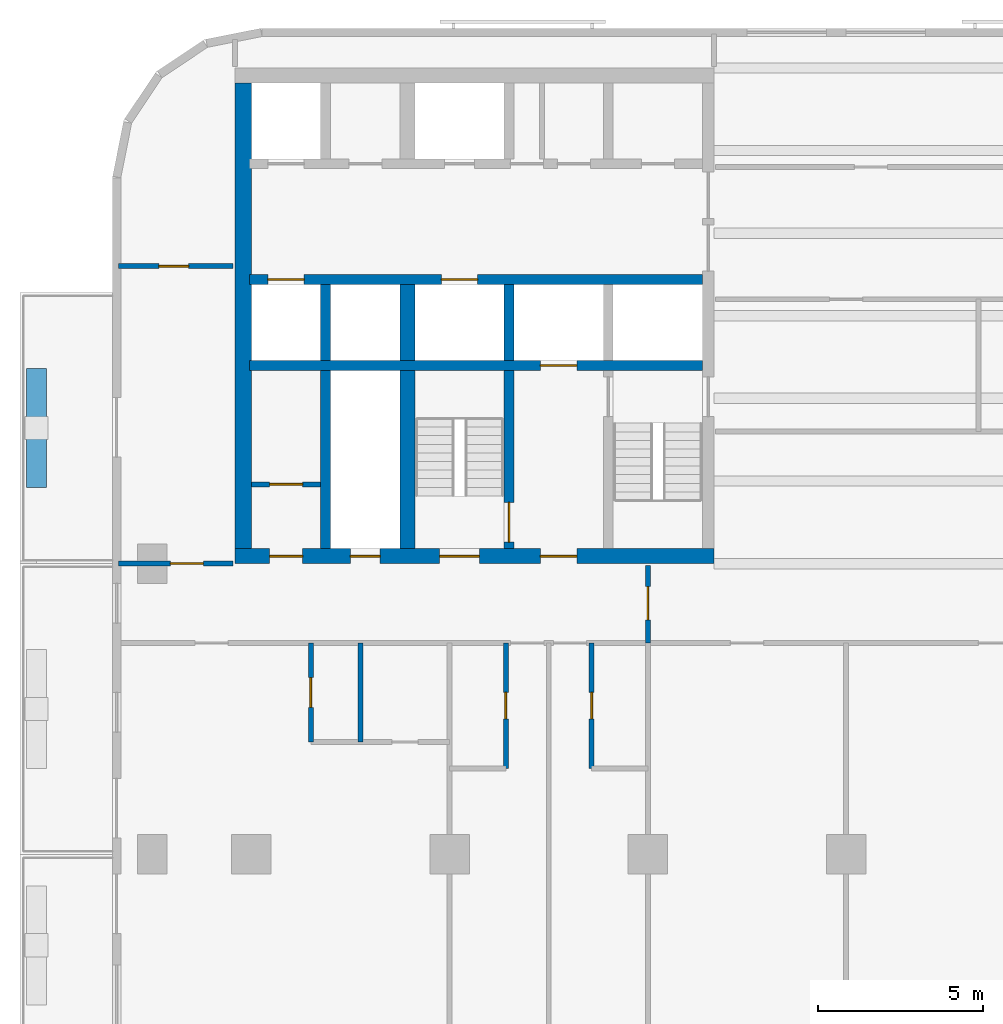
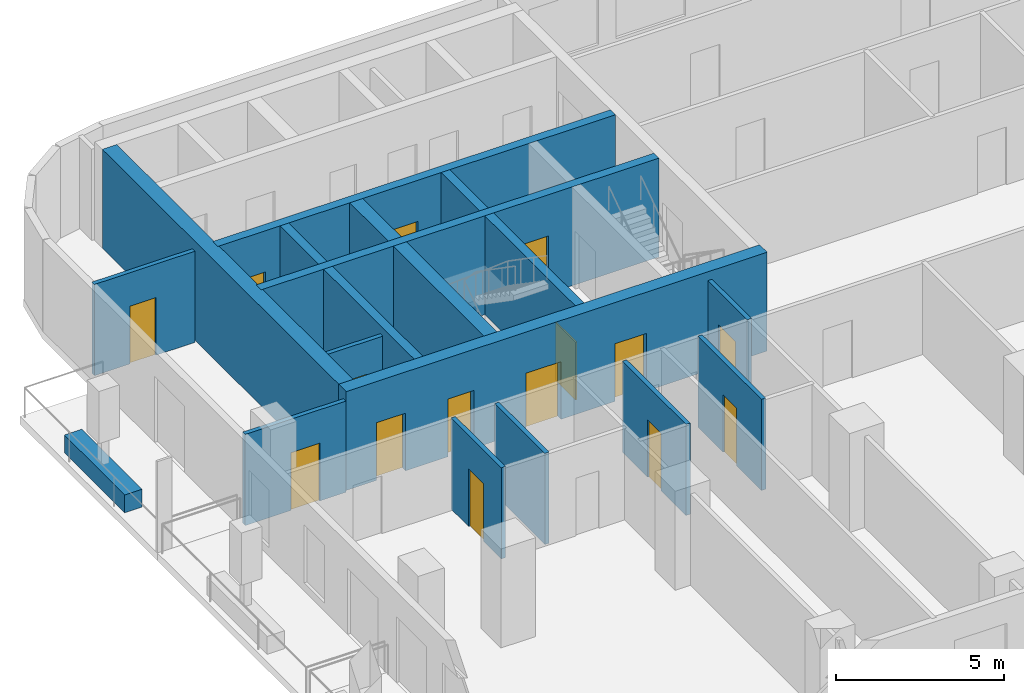
# One storey, part 3 of 11: 19 walls, 15 doors, 15 openings.
"""IFC4 building model written with IfcOpenShell, lengths in metres."""

from ifc_helpers import new_model, si_unit, direction, frame, frame_2d, origin, place, context, subcontext, project, spatial, rectangle, extrude, material, layer, layer_set, type_object, element, fill, save


model = new_model("IFC4")

# Units and contexts
model_context = context("Model", 3, precision=1e-05, world=origin(), true_north=direction((0.0, 1.0)))
body_context = subcontext(model_context, "Body", "Model", "MODEL_VIEW")
ifc_project = project(units=[si_unit("LENGTHUNIT", "METRE"), si_unit("AREAUNIT", "SQUARE_METRE"), si_unit("VOLUMEUNIT", "CUBIC_METRE"), si_unit("PLANEANGLEUNIT", "RADIAN"), si_unit("MASSUNIT", "GRAM", prefix="KILO")], contexts=[model_context])

# Site, building, storey
site_placement = place(None, origin())
site = spatial("IfcSite", under=ifc_project, at=site_placement, CompositionType="ELEMENT")
building_placement = place(site_placement, origin())
building = spatial("IfcBuilding", under=site, at=building_placement, Name="Torana Hotel and Residences", CompositionType="ELEMENT")
storey_placement = place(building_placement, frame((0.0, 0.0, 138.0)))
storey = spatial("IfcBuildingStorey", under=building, at=storey_placement, Name="L35", CompositionType="ELEMENT", Elevation=138.0)

# Wall, openings, doors
ifc_material_1 = material(Name="Concrete C70/85", Category="concrete")
ifc_layer_1 = layer(ifc_material_1, 0.300048828125)
ifc_layer_set_1 = layer_set([ifc_layer_1], Name="CORE WALL 300 C70/85")
wall_type_1 = type_object("IfcWallType", Name="CORE WALL 300 C70/85", PredefinedType="SHEAR", material=ifc_layer_set_1)
wall_1_placement = place(storey_placement, frame((-24.050048828125, -6.39990234375, 0.0), z_axis=(0.0, 0.0, 1.0), x_axis=(1.0, 0.0, 0.0)))
wall_1 = element("IfcWall", 1, at=wall_1_placement, inside=storey, type_object=wall_type_1, Name="Core wall W row-S", PredefinedType="SHEAR", context=body_context, shape_type="SweptSolid", body=[
    extrude(rectangle(XDim=13.699951171875, YDim=0.300048828125, at=frame_2d((6.85009765625, 0.0))), origin(), (0.0, 0.0, 1.0), 3.60009765625),
])
opening_1_placement = place(wall_1_placement, frame((0.550048828125, 0.0, 0.0)))
opening_1 = element("IfcOpeningElement", 2, at=opening_1_placement, cuts=wall_1, Name="Opening LD", PredefinedType="OPENING", context=body_context, shape_type="SweptSolid", body=[
    extrude(rectangle(XDim=1.10009765625, YDim=2.10009765625, at=frame_2d((0.550048828125, 1.050048828125))), frame((0.0, 0.159912109375, 0.0), z_axis=(0.0, -1.0, 0.0), x_axis=(1.0, 0.0, 0.0)), (0.0, 0.0, 1.0), 0.320068359375),
])
opening_2_placement = place(wall_1_placement, frame((5.800048828125, 0.0, 0.0)))
opening_2 = element("IfcOpeningElement", 3, at=opening_2_placement, cuts=wall_1, Name="Opening LD", PredefinedType="OPENING", context=body_context, shape_type="SweptSolid", body=[
    extrude(rectangle(XDim=1.10009765625, YDim=2.10009765625, at=frame_2d((0.550048828125, 1.050048828125))), frame((0.0, 0.159912109375, 0.0), z_axis=(0.0, -1.0, 0.0), x_axis=(1.0, 0.0, 0.0)), (0.0, 0.0, 1.0), 0.320068359375),
])
ifc_material_2 = material(Name="Stainless steel 316", Category="steel")
door_type_1 = type_object("IfcDoorType", Name="LIFT LANDING DOOR LD 1100x2100", OperationType="DOUBLE_DOOR_SLIDING", PredefinedType="USERDEFINED", material=ifc_material_2)
door_1_placement = place(opening_1_placement, origin())
door_1 = element("IfcDoor", 4, at=door_1_placement, inside=storey, type_object=door_type_1, Name="Lift landing door M2 L35", ObjectType="LIFT LANDING DOOR", OperationType="DOUBLE_DOOR_SLIDING", OverallHeight=2.10009765625, OverallWidth=1.10009765625, PredefinedType="USERDEFINED", context=body_context, shape_type="SweptSolid", body=[
    extrude(rectangle(XDim=1.10009765625, YDim=2.10009765625, at=frame_2d((0.550048828125, 1.050048828125))), frame((0.0, 0.02490234375, 0.0), z_axis=(0.0, -1.0, 0.0), x_axis=(1.0, 0.0, 0.0)), (0.0, 0.0, 1.0), 0.050048828125),
])
fill(opening_1, door_1)
door_2_placement = place(opening_2_placement, origin())
door_2 = element("IfcDoor", 5, at=door_2_placement, inside=storey, type_object=door_type_1, Name="Lift landing door SV1 L35", ObjectType="LIFT LANDING DOOR", OperationType="DOUBLE_DOOR_SLIDING", OverallHeight=2.10009765625, OverallWidth=1.10009765625, PredefinedType="USERDEFINED", context=body_context, shape_type="SweptSolid", body=[
    extrude(rectangle(XDim=1.10009765625, YDim=2.10009765625, at=frame_2d((0.550048828125, 1.050048828125))), frame((0.0, 0.02490234375, 0.0), z_axis=(0.0, -1.0, 0.0), x_axis=(1.0, 0.0, 0.0)), (0.0, 0.0, 1.0), 0.050048828125),
])
fill(opening_2, door_2)

# Wall, opening, door
wall_2_placement = place(storey_placement, frame((-24.050048828125, -9.0, 0.0), z_axis=(0.0, 0.0, 1.0), x_axis=(1.0, 0.0, 0.0)))
wall_2 = element("IfcWall", 6, at=wall_2_placement, inside=storey, type_object=wall_type_1, Name="Core wall W band", PredefinedType="SHEAR", context=body_context, shape_type="SweptSolid", body=[
    extrude(rectangle(XDim=13.699951171875, YDim=0.300048828125, at=frame_2d((6.85009765625, 0.0))), origin(), (0.0, 0.0, 1.0), 3.60009765625),
])
opening_3_placement = place(wall_2_placement, frame((8.800048828125, 0.0, 0.0)))
opening_3 = element("IfcOpeningElement", 7, at=opening_3_placement, cuts=wall_2, Name="Opening LD", PredefinedType="OPENING", context=body_context, shape_type="SweptSolid", body=[
    extrude(rectangle(XDim=1.10009765625, YDim=2.10009765625, at=frame_2d((0.550048828125, 1.050048828125))), frame((0.0, 0.159912109375, 0.0), z_axis=(0.0, -1.0, 0.0), x_axis=(1.0, 0.0, 0.0)), (0.0, 0.0, 1.0), 0.320068359375),
])
door_3_placement = place(opening_3_placement, origin())
door_3 = element("IfcDoor", 8, at=door_3_placement, inside=storey, type_object=door_type_1, Name="Lift landing door FF1 L35", ObjectType="LIFT LANDING DOOR", OperationType="DOUBLE_DOOR_SLIDING", OverallHeight=2.10009765625, OverallWidth=1.10009765625, PredefinedType="USERDEFINED", context=body_context, shape_type="SweptSolid", body=[
    extrude(rectangle(XDim=1.10009765625, YDim=2.10009765625, at=frame_2d((0.550048828125, 1.050048828125))), frame((0.0, 0.02490234375, 0.0), z_axis=(0.0, -1.0, 0.0), x_axis=(1.0, 0.0, 0.0)), (0.0, 0.0, 1.0), 0.050048828125),
])
fill(opening_3, door_3)

# Wall
wall_3_placement = place(storey_placement, frame((-16.199951171875, -8.85009765625, 0.0), z_axis=(0.0, 0.0, 1.0), x_axis=(0.0, 1.0, 0.0)))
element("IfcWall", 9, at=wall_3_placement, inside=storey, type_object=wall_type_1, Name="Core wall W x6.05-S", PredefinedType="SHEAR", context=body_context, shape_type="SweptSolid", body=[
    extrude(rectangle(XDim=2.300048828125, YDim=0.300048828125, at=frame_2d((1.14990234375, 0.0))), origin(), (0.0, 0.0, 1.0), 3.60009765625),
])

# Wall, opening, door
wall_4_placement = place(storey_placement, frame((-16.199951171875, -14.550048828125, 0.0), z_axis=(0.0, 0.0, 1.0), x_axis=(0.0, 1.0, 0.0)))
wall_4 = element("IfcWall", 10, at=wall_4_placement, inside=storey, type_object=wall_type_1, Name="Core wall W x6.05-band", PredefinedType="SHEAR", context=body_context, shape_type="SweptSolid", body=[
    extrude(rectangle(XDim=5.400146484375, YDim=0.300048828125, at=frame_2d((2.7001953125, 0.0))), origin(), (0.0, 0.0, 1.0), 3.60009765625),
])
opening_4_placement = place(wall_4_placement, frame((0.199951171875, 0.0, 0.0)))
opening_4 = element("IfcOpeningElement", 11, at=opening_4_placement, cuts=wall_4, Name="Opening L35-14", PredefinedType="OPENING", context=body_context, shape_type="SweptSolid", body=[
    extrude(rectangle(XDim=1.199951171875, YDim=2.10009765625, at=frame_2d((0.60009765625, 1.050048828125))), frame((0.0, 0.159912109375, 0.0), z_axis=(0.0, -1.0, 0.0), x_axis=(1.0, 0.0, 0.0)), (0.0, 0.0, 1.0), 0.320068359375),
])
ifc_material_3 = material(Name="Steel S235", Category="steel")
door_type_2 = type_object("IfcDoorType", Name="STAIR FIRE DOOR D3 1200x2100", OperationType="SINGLE_SWING_LEFT", PredefinedType="DOOR", material=ifc_material_3)
door_4_placement = place(opening_4_placement, origin())
door_4 = element("IfcDoor", 12, at=door_4_placement, inside=storey, type_object=door_type_2, Name="Stair-B-lobby door L35", OperationType="SINGLE_SWING_RIGHT", OverallHeight=2.10009765625, OverallWidth=1.199951171875, PredefinedType="DOOR", context=body_context, shape_type="SweptSolid", body=[
    extrude(rectangle(XDim=1.199951171875, YDim=2.10009765625, at=frame_2d((0.60009765625, 1.050048828125))), frame((0.0, 0.02490234375, 0.0), z_axis=(0.0, -1.0, 0.0), x_axis=(1.0, 0.0, 0.0)), (0.0, 0.0, 1.0), 0.050048828125),
])
fill(opening_4, door_4)

# Walls
wall_5_placement = place(storey_placement, frame((-21.75, -8.85009765625, 0.0), z_axis=(0.0, 0.0, 1.0), x_axis=(0.0, 1.0, 0.0)))
element("IfcWall", 13, at=wall_5_placement, inside=storey, type_object=wall_type_1, Name="Core wall W mm-S", PredefinedType="SHEAR", context=body_context, shape_type="SweptSolid", body=[
    extrude(rectangle(XDim=2.300048828125, YDim=0.300048828125, at=frame_2d((1.14990234375, 0.0))), origin(), (0.0, 0.0, 1.0), 3.60009765625),
])
wall_6_placement = place(storey_placement, frame((-21.75, -14.550048828125, 0.0), z_axis=(0.0, 0.0, 1.0), x_axis=(0.0, 1.0, 0.0)))
element("IfcWall", 14, at=wall_6_placement, inside=storey, type_object=wall_type_1, Name="Core wall W mm-band", PredefinedType="SHEAR", context=body_context, shape_type="SweptSolid", body=[
    extrude(rectangle(XDim=5.400146484375, YDim=0.300048828125, at=frame_2d((2.7001953125, 0.0))), origin(), (0.0, 0.0, 1.0), 3.60009765625),
])

# Wall, openings, doors
ifc_material_4 = material(Name="Concrete C70/85", Category="concrete")
ifc_layer_2 = layer(ifc_material_4, 0.449951171875)
ifc_layer_set_2 = layer_set([ifc_layer_2], Name="CORE WALL 450 C70/85")
wall_type_2 = type_object("IfcWallType", Name="CORE WALL 450 C70/85", PredefinedType="SHEAR", material=ifc_layer_set_2)
wall_7_placement = place(storey_placement, frame((-24.5, -14.77490234375, 0.0), z_axis=(0.0, 0.0, 1.0), x_axis=(1.0, 0.0, 0.0)))
wall_7 = element("IfcWall", 15, at=wall_7_placement, inside=storey, type_object=wall_type_2, Name="Core wall W front", PredefinedType="SHEAR", context=body_context, shape_type="SweptSolid", body=[
    extrude(rectangle(XDim=14.5, YDim=0.449951171875, at=frame_2d((7.25, 0.0))), origin(), (0.0, 0.0, 1.0), 3.60009765625),
])
opening_5_placement = place(wall_7_placement, frame((6.199951171875, 0.0, 0.0)))
opening_5 = element("IfcOpeningElement", 16, at=opening_5_placement, cuts=wall_7, Name="Opening L35-04", PredefinedType="OPENING", context=body_context, shape_type="SweptSolid", body=[
    extrude(rectangle(XDim=1.199951171875, YDim=2.10009765625, at=frame_2d((0.60009765625, 1.050048828125))), frame((0.0, 0.23486328125, 0.0), z_axis=(0.0, -1.0, 0.0), x_axis=(1.0, 0.0, 0.0)), (0.0, 0.0, 1.0), 0.469970703125),
])
opening_6_placement = place(wall_7_placement, frame((9.25, 0.0, 0.0)))
opening_6 = element("IfcOpeningElement", 17, at=opening_6_placement, cuts=wall_7, Name="Opening L35-05", PredefinedType="OPENING", context=body_context, shape_type="SweptSolid", body=[
    extrude(rectangle(XDim=1.10009765625, YDim=2.10009765625, at=frame_2d((0.550048828125, 1.050048828125))), frame((0.0, 0.23486328125, 0.0), z_axis=(0.0, -1.0, 0.0), x_axis=(1.0, 0.0, 0.0)), (0.0, 0.0, 1.0), 0.469970703125),
])
opening_7_placement = place(wall_7_placement, frame((3.5, 0.0, 0.0)))
opening_7 = element("IfcOpeningElement", 18, at=opening_7_placement, cuts=wall_7, Name="Opening L35-06", PredefinedType="OPENING", context=body_context, shape_type="SweptSolid", body=[
    extrude(rectangle(XDim=0.89990234375, YDim=2.10009765625, at=frame_2d((0.449951171875, 1.050048828125))), frame((0.0, 0.23486328125, 0.0), z_axis=(0.0, -1.0, 0.0), x_axis=(1.0, 0.0, 0.0)), (0.0, 0.0, 1.0), 0.469970703125),
])
opening_8_placement = place(wall_7_placement, frame((1.050048828125, 0.0, 0.0)))
opening_8 = element("IfcOpeningElement", 19, at=opening_8_placement, cuts=wall_7, Name="Opening L35-07", PredefinedType="OPENING", context=body_context, shape_type="SweptSolid", body=[
    extrude(rectangle(XDim=1.0, YDim=2.10009765625, at=frame_2d((0.5, 1.050048828125))), frame((0.0, 0.23486328125, 0.0), z_axis=(0.0, -1.0, 0.0), x_axis=(1.0, 0.0, 0.0)), (0.0, 0.0, 1.0), 0.469970703125),
])
ifc_material_5 = material(Name="Steel S235", Category="steel")
door_type_3 = type_object("IfcDoorType", Name="CORE ROOM FIRE DOOR D14 1000x2100", OperationType="SINGLE_SWING_LEFT", PredefinedType="DOOR", material=ifc_material_5)
door_5_placement = place(opening_8_placement, origin())
door_5 = element("IfcDoor", 20, at=door_5_placement, inside=storey, type_object=door_type_3, Name="M-Room-B door L35", OperationType="SINGLE_SWING_RIGHT", OverallHeight=2.10009765625, OverallWidth=1.0, PredefinedType="DOOR", context=body_context, shape_type="SweptSolid", body=[
    extrude(rectangle(XDim=1.0, YDim=2.10009765625, at=frame_2d((0.5, 1.050048828125))), frame((0.0, 0.02490234375, 0.0), z_axis=(0.0, -1.0, 0.0), x_axis=(1.0, 0.0, 0.0)), (0.0, 0.0, 1.0), 0.050048828125),
])
fill(opening_8, door_5)
ifc_material_6 = material(Name="Steel S235", Category="steel")
door_type_4 = type_object("IfcDoorType", Name="FIRE-FIGHTING LOBBY DOOR D8 1100x2100", OperationType="SINGLE_SWING_LEFT", PredefinedType="DOOR", material=ifc_material_6)
door_6_placement = place(opening_6_placement, origin())
door_6 = element("IfcDoor", 21, at=door_6_placement, inside=storey, type_object=door_type_4, Name="FF-lobby door L35", OperationType="SINGLE_SWING_RIGHT", OverallHeight=2.10009765625, OverallWidth=1.10009765625, PredefinedType="DOOR", context=body_context, shape_type="SweptSolid", body=[
    extrude(rectangle(XDim=1.10009765625, YDim=2.10009765625, at=frame_2d((0.550048828125, 1.050048828125))), frame((0.0, 0.02490234375, 0.0), z_axis=(0.0, -1.0, 0.0), x_axis=(1.0, 0.0, 0.0)), (0.0, 0.0, 1.0), 0.050048828125),
])
fill(opening_6, door_6)
ifc_material_7 = material(Name="Steel S235", Category="steel")
door_type_5 = type_object("IfcDoorType", Name="RISER ACCESS DOOR D5 900x2100", OperationType="SINGLE_SWING_LEFT", PredefinedType="DOOR", material=ifc_material_7)
door_7_placement = place(opening_7_placement, origin())
door_7 = element("IfcDoor", 22, at=door_7_placement, inside=storey, type_object=door_type_5, Name="M-Riser door L35", OperationType="SINGLE_SWING_RIGHT", OverallHeight=2.10009765625, OverallWidth=0.89990234375, PredefinedType="DOOR", context=body_context, shape_type="SweptSolid", body=[
    extrude(rectangle(XDim=0.89990234375, YDim=2.10009765625, at=frame_2d((0.449951171875, 1.050048828125))), frame((0.0, 0.02490234375, 0.0), z_axis=(0.0, -1.0, 0.0), x_axis=(1.0, 0.0, 0.0)), (0.0, 0.0, 1.0), 0.050048828125),
])
fill(opening_7, door_7)
door_8_placement = place(opening_5_placement, origin())
door_8 = element("IfcDoor", 23, at=door_8_placement, inside=storey, type_object=door_type_2, Name="Stair-B door L35", OperationType="SINGLE_SWING_RIGHT", OverallHeight=2.10009765625, OverallWidth=1.199951171875, PredefinedType="DOOR", context=body_context, shape_type="SweptSolid", body=[
    extrude(rectangle(XDim=1.199951171875, YDim=2.10009765625, at=frame_2d((0.60009765625, 1.050048828125))), frame((0.0, 0.02490234375, 0.0), z_axis=(0.0, -1.0, 0.0), x_axis=(1.0, 0.0, 0.0)), (0.0, 0.0, 1.0), 0.050048828125),
])
fill(opening_5, door_8)

# Walls
wall_8_placement = place(storey_placement, frame((-19.27490234375, -8.85009765625, 0.0), z_axis=(0.0, 0.0, 1.0), x_axis=(0.0, 1.0, 0.0)))
element("IfcWall", 24, at=wall_8_placement, inside=storey, type_object=wall_type_2, Name="Core wall W hm-S", PredefinedType="SHEAR", context=body_context, shape_type="SweptSolid", body=[
    extrude(rectangle(XDim=2.300048828125, YDim=0.449951171875, at=frame_2d((1.14990234375, 0.0))), origin(), (0.0, 0.0, 1.0), 3.60009765625),
])
wall_9_placement = place(storey_placement, frame((-19.27490234375, -14.550048828125, 0.0), z_axis=(0.0, 0.0, 1.0), x_axis=(0.0, 1.0, 0.0)))
element("IfcWall", 25, at=wall_9_placement, inside=storey, type_object=wall_type_2, Name="Core wall W hm-band", PredefinedType="SHEAR", context=body_context, shape_type="SweptSolid", body=[
    extrude(rectangle(XDim=5.400146484375, YDim=0.449951171875, at=frame_2d((2.7001953125, 0.0))), origin(), (0.0, 0.0, 1.0), 3.60009765625),
])
ifc_material_8 = material(Name="Concrete C70/85", Category="concrete")
ifc_layer_3 = layer(ifc_material_8, 0.5)
ifc_layer_set_3 = layer_set([ifc_layer_3], Name="CORE WALL 500 C70/85")
wall_type_3 = type_object("IfcWallType", Name="CORE WALL 500 C70/85", PredefinedType="SHEAR", material=ifc_layer_set_3)
wall_10_placement = place(storey_placement, frame((-24.25, -14.550048828125, 0.0), z_axis=(0.0, 0.0, 1.0), x_axis=(0.0, 1.0, 0.0)))
element("IfcWall", 26, at=wall_10_placement, inside=storey, type_object=wall_type_3, Name="Core wall W outer", PredefinedType="SHEAR", context=body_context, shape_type="SweptSolid", body=[
    extrude(rectangle(XDim=14.10009765625, YDim=0.5, at=frame_2d((7.050048828125, 0.0))), origin(), (0.0, 0.0, 1.0), 3.60009765625),
])

# Wall, opening, door
ifc_material_9 = material(Name="Gypsum plaster")
ifc_layer_4 = layer(ifc_material_9, 0.014892578125, Name="Plaster", Category="finish")
ifc_material_10 = material(Name="Concrete blockwork", Category="masonry")
ifc_layer_5 = layer(ifc_material_10, 0.1201171875, Name="Blockwork", Category="structure")
ifc_layer_6 = layer(ifc_material_9, 0.014892578125, Name="Plaster", Category="finish")
ifc_layer_set_4 = layer_set([ifc_layer_4, ifc_layer_5, ifc_layer_6], Name="FIRE PARTITION 150 BLOCKWORK")
wall_type_4 = type_object("IfcWallType", Name="FIRE PARTITION 150 BLOCKWORK", PredefinedType="PARTITIONING", material=ifc_layer_set_4)
wall_11_placement = place(storey_placement, frame((-24.0, -12.60009765625, 0.0), z_axis=(0.0, 0.0, 1.0), x_axis=(1.0, 0.0, 0.0)))
wall_11 = element("IfcWall", 27, at=wall_11_placement, inside=storey, type_object=wall_type_4, Name="Core partition L35", PredefinedType="PARTITIONING", context=body_context, shape_type="SweptSolid", body=[
    extrude(rectangle(XDim=2.10009765625, YDim=0.14990234375, at=frame_2d((1.050048828125, 0.0))), origin(), (0.0, 0.0, 1.0), 3.300048828125),
])
opening_9_placement = place(wall_11_placement, frame((0.550048828125, 0.0, 0.0)))
opening_9 = element("IfcOpeningElement", 28, at=opening_9_placement, cuts=wall_11, Name="Opening L35-29", PredefinedType="OPENING", context=body_context, shape_type="SweptSolid", body=[
    extrude(rectangle(XDim=1.0, YDim=2.10009765625, at=frame_2d((0.5, 1.050048828125))), frame((0.0, 0.0849609375, 0.0), z_axis=(0.0, -1.0, 0.0), x_axis=(1.0, 0.0, 0.0)), (0.0, 0.0, 1.0), 0.169921875),
])
door_9_placement = place(opening_9_placement, origin())
door_9 = element("IfcDoor", 29, at=door_9_placement, inside=storey, type_object=door_type_3, Name="Plant room door L35", OperationType="SINGLE_SWING_RIGHT", OverallHeight=2.10009765625, OverallWidth=1.0, PredefinedType="DOOR", context=body_context, shape_type="SweptSolid", body=[
    extrude(rectangle(XDim=1.0, YDim=2.10009765625, at=frame_2d((0.5, 1.050048828125))), frame((0.0, 0.02490234375, 0.0), z_axis=(0.0, -1.0, 0.0), x_axis=(1.0, 0.0, 0.0)), (0.0, 0.0, 1.0), 0.050048828125),
])
fill(opening_9, door_9)

wall_12_placement = place(storey_placement, frame((-12.0, -17.39990234375, 0.0), z_axis=(0.0, 0.0, 1.0), x_axis=(0.0, 1.0, 0.0)))
wall_12 = element("IfcWall", 30, at=wall_12_placement, inside=storey, type_object=wall_type_4, Name="Partition L35", PredefinedType="PARTITIONING", context=body_context, shape_type="SweptSolid", body=[
    extrude(rectangle(XDim=2.349853515625, YDim=0.14990234375, at=frame_2d((1.1748046875, 0.0))), origin(), (0.0, 0.0, 1.0), 3.320068359375),
])
opening_10_placement = place(wall_12_placement, frame((0.699951171875, 0.0, 0.0)))
opening_10 = element("IfcOpeningElement", 31, at=opening_10_placement, cuts=wall_12, Name="Opening L35-31", PredefinedType="OPENING", context=body_context, shape_type="SweptSolid", body=[
    extrude(rectangle(XDim=1.0, YDim=2.10009765625, at=frame_2d((0.5, 1.050048828125))), frame((0.0, 0.0849609375, 0.0), z_axis=(0.0, -1.0, 0.0), x_axis=(1.0, 0.0, 0.0)), (0.0, 0.0, 1.0), 0.169921875),
])
ifc_material_11 = material(Name="Steel S235", Category="steel")
door_type_6 = type_object("IfcDoorType", Name="ENTRY FIRE DOOR D6 1000x2100", OperationType="SINGLE_SWING_LEFT", PredefinedType="DOOR", material=ifc_material_11)
door_10_placement = place(opening_10_placement, origin())
door_10 = element("IfcDoor", 32, at=door_10_placement, inside=storey, type_object=door_type_6, Name="Door L35", OperationType="SINGLE_SWING_RIGHT", OverallHeight=2.10009765625, OverallWidth=1.0, PredefinedType="DOOR", context=body_context, shape_type="SweptSolid", body=[
    extrude(rectangle(XDim=1.0, YDim=2.10009765625, at=frame_2d((0.5, 1.050048828125))), frame((0.0, 0.02490234375, 0.0), z_axis=(0.0, -1.0, 0.0), x_axis=(1.0, 0.0, 0.0)), (0.0, 0.0, 1.0), 0.050048828125),
])
fill(opening_10, door_10)

wall_13_placement = place(storey_placement, frame((-28.02001953125, -15.0, 0.0), z_axis=(0.0, 0.0, 1.0), x_axis=(1.0, 0.0, 0.0)))
wall_13 = element("IfcWall", 33, at=wall_13_placement, inside=storey, type_object=wall_type_4, Name="Partition L35", PredefinedType="PARTITIONING", context=body_context, shape_type="SweptSolid", body=[
    extrude(rectangle(XDim=3.469970703125, YDim=0.14990234375, at=frame_2d((1.73486328125, 0.0))), origin(), (0.0, 0.0, 1.0), 3.320068359375),
])
opening_11_placement = place(wall_13_placement, frame((1.570068359375, 0.0, 0.0)))
opening_11 = element("IfcOpeningElement", 34, at=opening_11_placement, cuts=wall_13, Name="Opening L35-35", PredefinedType="OPENING", context=body_context, shape_type="SweptSolid", body=[
    extrude(rectangle(XDim=1.0, YDim=2.10009765625, at=frame_2d((0.5, 1.050048828125))), frame((0.0, 0.0849609375, 0.0), z_axis=(0.0, -1.0, 0.0), x_axis=(1.0, 0.0, 0.0)), (0.0, 0.0, 1.0), 0.169921875),
])
door_11_placement = place(opening_11_placement, origin())
door_11 = element("IfcDoor", 35, at=door_11_placement, inside=storey, type_object=door_type_3, Name="Door L35", OperationType="SINGLE_SWING_RIGHT", OverallHeight=2.10009765625, OverallWidth=1.0, PredefinedType="DOOR", context=body_context, shape_type="SweptSolid", body=[
    extrude(rectangle(XDim=1.0, YDim=2.10009765625, at=frame_2d((0.5, 1.050048828125))), frame((0.0, 0.02490234375, 0.0), z_axis=(0.0, -1.0, 0.0), x_axis=(1.0, 0.0, 0.0)), (0.0, 0.0, 1.0), 0.050048828125),
])
fill(opening_11, door_11)

ifc_material_12 = material(Name="Gypsum plasterboard")
ifc_layer_7 = layer(ifc_material_12, 0.012451171875, Name="Plasterboard", Category="finish")
ifc_layer_8 = layer(ifc_material_12, 0.012451171875, Name="Plasterboard", Category="finish")
ifc_material_13 = material(Name="Steel S280GD", Category="steel")
ifc_layer_9 = layer(ifc_material_13, 0.10009765625, Name="Steel studs with mineral wool", Category="insulation")
ifc_layer_10 = layer(ifc_material_12, 0.012451171875, Name="Plasterboard", Category="finish")
ifc_layer_11 = layer(ifc_material_12, 0.012451171875, Name="Plasterboard", Category="finish")
ifc_layer_set_5 = layer_set([ifc_layer_7, ifc_layer_8, ifc_layer_9, ifc_layer_10, ifc_layer_11], Name="PARTITION 150 PLASTERBOARD")
wall_type_5 = type_object("IfcWallType", Name="PARTITION 150 PLASTERBOARD", PredefinedType="PARTITIONING", material=ifc_layer_set_5)
wall_14_placement = place(storey_placement, frame((-13.699951171875, -21.199951171875, 0.0), z_axis=(0.0, 0.0, 1.0), x_axis=(0.0, 1.0, 0.0)))
wall_14 = element("IfcWall", 36, at=wall_14_placement, inside=storey, type_object=wall_type_5, Name="Partition L35", PredefinedType="PARTITIONING", context=body_context, shape_type="SweptSolid", body=[
    extrude(rectangle(XDim=3.800048828125, YDim=0.14990234375, at=frame_2d((1.89990234375, 0.0))), origin(), (0.0, 0.0, 1.0), 3.320068359375),
])
opening_12_placement = place(wall_14_placement, frame((1.5, 0.0, 0.0)))
opening_12 = element("IfcOpeningElement", 37, at=opening_12_placement, cuts=wall_14, Name="Opening L35-51", PredefinedType="OPENING", context=body_context, shape_type="SweptSolid", body=[
    extrude(rectangle(XDim=0.800048828125, YDim=2.10009765625, at=frame_2d((0.39990234375, 1.050048828125))), frame((0.0, 0.0849609375, 0.0), z_axis=(0.0, -1.0, 0.0), x_axis=(1.0, 0.0, 0.0)), (0.0, 0.0, 1.0), 0.169921875),
])
ifc_material_14 = material(Name="Timber door, painted", Category="wood")
door_type_7 = type_object("IfcDoorType", Name="BATH DOOR D13 800x2100", OperationType="SINGLE_SWING_LEFT", PredefinedType="DOOR", material=ifc_material_14)
door_12_placement = place(opening_12_placement, origin())
door_12 = element("IfcDoor", 38, at=door_12_placement, inside=storey, type_object=door_type_7, Name="Door L35", OperationType="SINGLE_SWING_RIGHT", OverallHeight=2.10009765625, OverallWidth=0.800048828125, PredefinedType="DOOR", context=body_context, shape_type="SweptSolid", body=[
    extrude(rectangle(XDim=0.800048828125, YDim=2.10009765625, at=frame_2d((0.39990234375, 1.050048828125))), frame((0.0, 0.02490234375, 0.0), z_axis=(0.0, -1.0, 0.0), x_axis=(1.0, 0.0, 0.0)), (0.0, 0.0, 1.0), 0.050048828125),
])
fill(opening_12, door_12)

wall_15_placement = place(storey_placement, frame((-16.300048828125, -21.199951171875, 0.0), z_axis=(0.0, 0.0, 1.0), x_axis=(0.0, 1.0, 0.0)))
wall_15 = element("IfcWall", 39, at=wall_15_placement, inside=storey, type_object=wall_type_5, Name="Partition L35", PredefinedType="PARTITIONING", context=body_context, shape_type="SweptSolid", body=[
    extrude(rectangle(XDim=3.800048828125, YDim=0.14990234375, at=frame_2d((1.89990234375, 0.0))), origin(), (0.0, 0.0, 1.0), 3.320068359375),
])
opening_13_placement = place(wall_15_placement, frame((1.5, 0.0, 0.0)))
opening_13 = element("IfcOpeningElement", 40, at=opening_13_placement, cuts=wall_15, Name="Opening L35-52", PredefinedType="OPENING", context=body_context, shape_type="SweptSolid", body=[
    extrude(rectangle(XDim=0.800048828125, YDim=2.10009765625, at=frame_2d((0.39990234375, 1.050048828125))), frame((0.0, 0.0849609375, 0.0), z_axis=(0.0, -1.0, 0.0), x_axis=(1.0, 0.0, 0.0)), (0.0, 0.0, 1.0), 0.169921875),
])
door_13_placement = place(opening_13_placement, origin())
door_13 = element("IfcDoor", 41, at=door_13_placement, inside=storey, type_object=door_type_7, Name="Door L35", OperationType="SINGLE_SWING_RIGHT", OverallHeight=2.10009765625, OverallWidth=0.800048828125, PredefinedType="DOOR", context=body_context, shape_type="SweptSolid", body=[
    extrude(rectangle(XDim=0.800048828125, YDim=2.10009765625, at=frame_2d((0.39990234375, 1.050048828125))), frame((0.0, 0.02490234375, 0.0), z_axis=(0.0, -1.0, 0.0), x_axis=(1.0, 0.0, 0.0)), (0.0, 0.0, 1.0), 0.050048828125),
])
fill(opening_13, door_13)

# Wall
wall_16_placement = place(storey_placement, frame((-20.699951171875, -20.39990234375, 0.0), z_axis=(0.0, 0.0, 1.0), x_axis=(0.0, 1.0, 0.0)))
element("IfcWall", 42, at=wall_16_placement, inside=storey, type_object=wall_type_5, Name="Partition L35", PredefinedType="PARTITIONING", context=body_context, shape_type="SweptSolid", body=[
    extrude(rectangle(XDim=3.0, YDim=0.14990234375, at=frame_2d((1.5, 0.0))), origin(), (0.0, 0.0, 1.0), 3.320068359375),
])

# Wall, opening, door
wall_17_placement = place(storey_placement, frame((-22.199951171875, -20.39990234375, 0.0), z_axis=(0.0, 0.0, 1.0), x_axis=(0.0, 1.0, 0.0)))
wall_17 = element("IfcWall", 43, at=wall_17_placement, inside=storey, type_object=wall_type_5, Name="Partition L35", PredefinedType="PARTITIONING", context=body_context, shape_type="SweptSolid", body=[
    extrude(rectangle(XDim=3.0, YDim=0.14990234375, at=frame_2d((1.5, 0.0))), origin(), (0.0, 0.0, 1.0), 3.320068359375),
])
opening_14_placement = place(wall_17_placement, frame((1.050048828125, 0.0, 0.0)))
opening_14 = element("IfcOpeningElement", 44, at=opening_14_placement, cuts=wall_17, Name="Opening L35-55", PredefinedType="OPENING", context=body_context, shape_type="SweptSolid", body=[
    extrude(rectangle(XDim=0.89990234375, YDim=2.10009765625, at=frame_2d((0.449951171875, 1.050048828125))), frame((0.0, 0.0849609375, 0.0), z_axis=(0.0, -1.0, 0.0), x_axis=(1.0, 0.0, 0.0)), (0.0, 0.0, 1.0), 0.169921875),
])
ifc_material_15 = material(Name="Timber door, oiled ash", Category="wood")
door_type_8 = type_object("IfcDoorType", Name="ROOM DOOR D7 900x2100", OperationType="SINGLE_SWING_LEFT", PredefinedType="DOOR", material=ifc_material_15)
door_14_placement = place(opening_14_placement, origin())
door_14 = element("IfcDoor", 45, at=door_14_placement, inside=storey, type_object=door_type_8, Name="Door L35", OperationType="SINGLE_SWING_LEFT", OverallHeight=2.10009765625, OverallWidth=0.89990234375, PredefinedType="DOOR", context=body_context, shape_type="SweptSolid", body=[
    extrude(rectangle(XDim=0.89990234375, YDim=2.10009765625, at=frame_2d((0.449951171875, 1.050048828125))), frame((0.0, 0.02490234375, 0.0), z_axis=(0.0, -1.0, 0.0), x_axis=(1.0, 0.0, 0.0)), (0.0, 0.0, 1.0), 0.050048828125),
])
fill(opening_14, door_14)

# Wall
ifc_material_16 = material(Name="Concrete C40/50 precast", Category="concrete")
ifc_layer_12 = layer(ifc_material_16, 0.10009765625, Name="Planter shell", Category="structure")
ifc_material_17 = material(Name="Root resistant membrane")
ifc_layer_13 = layer(ifc_material_17, 0.00390625, Name="Waterproofing membrane", Category="membrane")
ifc_material_18 = material(Name="Drainage board with filter fleece")
ifc_layer_14 = layer(ifc_material_18, 0.02001953125, Name="Drainage board", Category="drainage")
ifc_material_19 = material(Name="Growing medium")
ifc_layer_15 = layer(ifc_material_19, 0.47607421875, Name="Planting substrate", Category="soil")
ifc_layer_set_6 = layer_set([ifc_layer_12, ifc_layer_13, ifc_layer_14, ifc_layer_15], Name="PL1 BALCONY PLANTER 600")
wall_type_6 = type_object("IfcWallType", Name="PL1 BALCONY PLANTER 600", PredefinedType="USERDEFINED", material=ifc_layer_set_6)
wall_18_placement = place(storey_placement, frame((-30.5, -12.699951171875, 0.0), z_axis=(0.0, 0.0, 1.0), x_axis=(0.0, 1.0, 0.0)))
element("IfcWall", 46, at=wall_18_placement, inside=storey, type_object=wall_type_6, Name="Planter 11", ObjectType="PLANTER", PredefinedType="USERDEFINED", context=body_context, shape_type="SweptSolid", body=[
    extrude(rectangle(XDim=3.599853515625, YDim=0.60009765625, at=frame_2d((1.7998046875, 0.0))), origin(), (0.0, 0.0, 1.0), 0.64990234375),
])

# Wall, opening, door
ifc_material_20 = material(Name="Ceramic tile on adhesive")
ifc_layer_16 = layer(ifc_material_20, 0.010009765625, Name="Wall tile", Category="finish")
ifc_material_21 = material(Name="Cement render")
ifc_layer_17 = layer(ifc_material_21, 0.010009765625, Name="Render", Category="finish")
ifc_layer_18 = layer(ifc_material_10, 0.110107421875, Name="Blockwork", Category="structure")
ifc_layer_19 = layer(ifc_material_21, 0.010009765625, Name="Render", Category="finish")
ifc_layer_20 = layer(ifc_material_20, 0.010009765625, Name="Wall tile", Category="finish")
ifc_layer_set_7 = layer_set([ifc_layer_16, ifc_layer_17, ifc_layer_18, ifc_layer_19, ifc_layer_20], Name="WC PARTITION 150")
wall_type_7 = type_object("IfcWallType", Name="WC PARTITION 150", PredefinedType="PLUMBINGWALL", material=ifc_layer_set_7)
wall_19_placement = place(storey_placement, frame((-28.02001953125, -6.0, 0.0), z_axis=(0.0, 0.0, 1.0), x_axis=(1.0, 0.0, 0.0)))
wall_19 = element("IfcWall", 47, at=wall_19_placement, inside=storey, type_object=wall_type_7, Name="Partition L35", PredefinedType="PLUMBINGWALL", context=body_context, shape_type="SweptSolid", body=[
    extrude(rectangle(XDim=3.469970703125, YDim=0.14990234375, at=frame_2d((1.73486328125, 0.0))), origin(), (0.0, 0.0, 1.0), 3.320068359375),
])
opening_15_placement = place(wall_19_placement, frame((1.219970703125, 0.0, 0.0)))
opening_15 = element("IfcOpeningElement", 48, at=opening_15_placement, cuts=wall_19, Name="Opening L35-58", PredefinedType="OPENING", context=body_context, shape_type="SweptSolid", body=[
    extrude(rectangle(XDim=0.89990234375, YDim=2.10009765625, at=frame_2d((0.449951171875, 1.050048828125))), frame((0.0, 0.0849609375, 0.0), z_axis=(0.0, -1.0, 0.0), x_axis=(1.0, 0.0, 0.0)), (0.0, 0.0, 1.0), 0.169921875),
])
door_15_placement = place(opening_15_placement, origin())
door_15 = element("IfcDoor", 49, at=door_15_placement, inside=storey, type_object=door_type_8, Name="Door L35", OperationType="SINGLE_SWING_RIGHT", OverallHeight=2.10009765625, OverallWidth=0.89990234375, PredefinedType="DOOR", context=body_context, shape_type="SweptSolid", body=[
    extrude(rectangle(XDim=0.89990234375, YDim=2.10009765625, at=frame_2d((0.449951171875, 1.050048828125))), frame((0.0, 0.02490234375, 0.0), z_axis=(0.0, -1.0, 0.0), x_axis=(1.0, 0.0, 0.0)), (0.0, 0.0, 1.0), 0.050048828125),
])
fill(opening_15, door_15)

save(model, "model.ifc")
